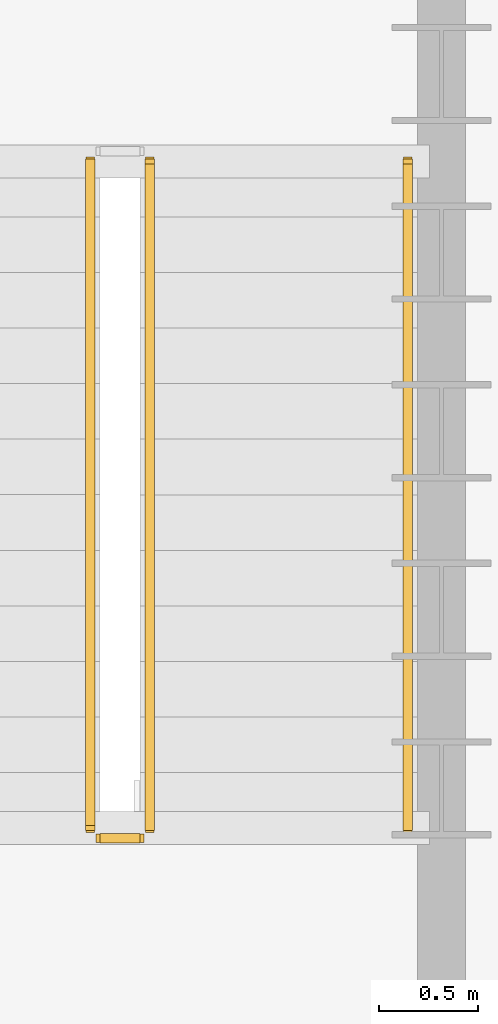
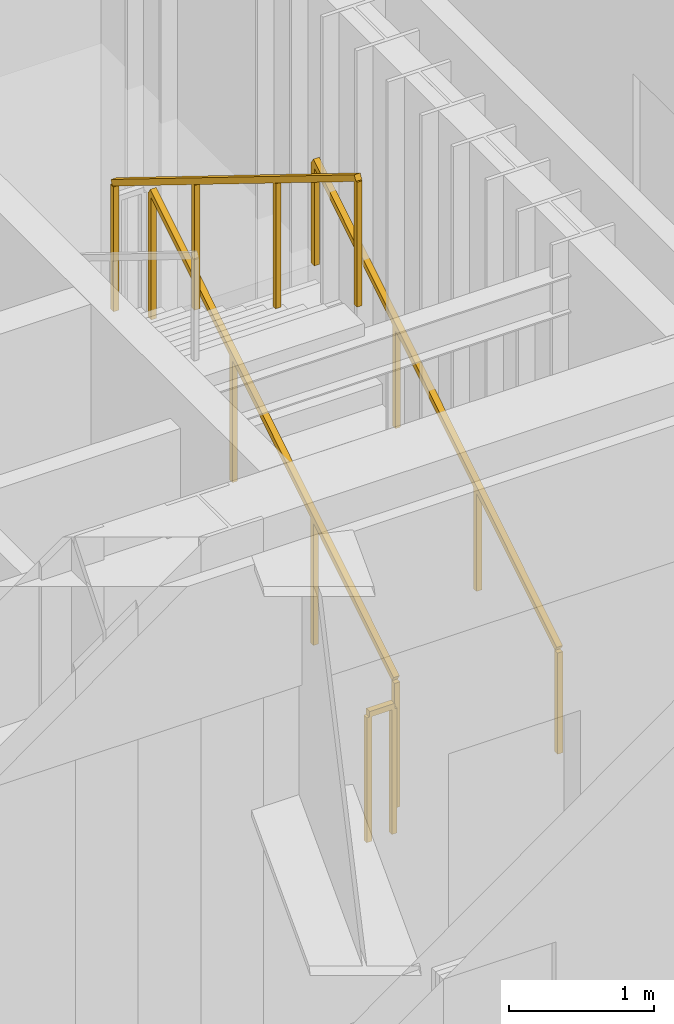
# One storey, part 23 of 26: 4 railings.
"""IFC4 building model written with IfcOpenShell, lengths in metres."""

from ifc_helpers import new_model, si_unit, direction, frame, origin, origin_2d, place, context, subcontext, project, spatial, rectangle, extrude, material, type_object, element, save


model = new_model("IFC4")

# Units and contexts
model_context = context("Model", 3, precision=1e-05, world=origin(), true_north=direction((0.0, 1.0)))
body_context = subcontext(model_context, "Body", "Model", "MODEL_VIEW")
ifc_project = project(units=[si_unit("LENGTHUNIT", "METRE"), si_unit("AREAUNIT", "SQUARE_METRE"), si_unit("VOLUMEUNIT", "CUBIC_METRE"), si_unit("PLANEANGLEUNIT", "RADIAN"), si_unit("MASSUNIT", "GRAM", prefix="KILO")], contexts=[model_context])

# Site, building, storey
site_placement = place(None, origin())
site = spatial("IfcSite", under=ifc_project, at=site_placement, CompositionType="ELEMENT")
building_placement = place(site_placement, origin())
building = spatial("IfcBuilding", under=site, at=building_placement, Name="Haldorwick Loom Tower", CompositionType="ELEMENT")
storey_placement = place(building_placement, frame((0.0, 0.0, 19.5)))
storey = spatial("IfcBuildingStorey", under=building, at=storey_placement, Name="L04", CompositionType="ELEMENT", Elevation=19.5)

# Railings
ifc_material = material(Name="Steel CSA G40.21 350W", Category="steel")
railing_type_1 = type_object("IfcRailingType", Name="ARC-RLG-GUARD112", PredefinedType="GUARDRAIL", material=ifc_material)
railing_1_placement = place(storey_placement, frame((48.60009765625, 28.39990234375, 0.173095703125)))
element("IfcRailing", 1, at=railing_1_placement, inside=storey, type_object=railing_type_1, Name="L04 ST-02 stair guard 1", PredefinedType="GUARDRAIL", context=body_context, shape_type="SweptSolid", body=[
    extrude(rectangle(XDim=0.048095703125, YDim=0.048095703125, at=origin_2d()), frame((0.0, 0.0, 1.076171875), z_axis=(0.0, 0.850623216509, 0.525775754039), x_axis=(-1.0, 0.0, 0.0)), (0.0, 0.0, 1.0), 3.9501953125),
    extrude(rectangle(XDim=0.0419921875, YDim=0.0419921875, at=origin_2d()), origin(), (0.0, 0.0, 1.0), 1.052001953125),
    extrude(rectangle(XDim=0.0419921875, YDim=0.0419921875, at=origin_2d()), frame((0.0, 1.1201171875, 0.6923828125)), (0.0, 0.0, 1.0), 1.052001953125),
    extrude(rectangle(XDim=0.0419921875, YDim=0.0419921875, at=origin_2d()), frame((0.0, 2.239990234375, 1.384521484375)), (0.0, 0.0, 1.0), 1.052001953125),
    extrude(rectangle(XDim=0.0419921875, YDim=0.0419921875, at=origin_2d()), frame((0.0, 3.360107421875, 2.076904296875)), (0.0, 0.0, 1.0), 1.052001953125),
])
railing_2_placement = place(storey_placement, frame((48.300048828125, 31.760009765625, 2.423095703125)))
element("IfcRailing", 2, at=railing_2_placement, inside=storey, type_object=railing_type_1, Name="L04 ST-02 stair guard 3", PredefinedType="GUARDRAIL", context=body_context, shape_type="SweptSolid", body=[
    extrude(rectangle(XDim=0.048095703125, YDim=0.048095703125, at=origin_2d()), frame((0.0, 0.0, 1.076171875), z_axis=(0.0, -0.850623216509, 0.525775754039), x_axis=(1.0, 0.0, 0.0)), (0.0, 0.0, 1.0), 3.9501953125),
    extrude(rectangle(XDim=0.0419921875, YDim=0.0419921875, at=origin_2d()), origin(), (0.0, 0.0, 1.0), 1.052001953125),
    extrude(rectangle(XDim=0.0419921875, YDim=0.0419921875, at=origin_2d()), frame((0.0, -1.1201171875, 0.6923828125)), (0.0, 0.0, 1.0), 1.052001953125),
    extrude(rectangle(XDim=0.0419921875, YDim=0.0419921875, at=origin_2d()), frame((0.0, -2.239990234375, 1.384521484375)), (0.0, 0.0, 1.0), 1.052001953125),
    extrude(rectangle(XDim=0.0419921875, YDim=0.0419921875, at=origin_2d()), frame((0.0, -3.360107421875, 2.076904296875)), (0.0, 0.0, 1.0), 1.052001953125),
])
railing_3_placement = place(storey_placement, frame((48.550048828125, 28.35009765625, 0.0)))
element("IfcRailing", 3, at=railing_3_placement, inside=storey, type_object=railing_type_1, Name="L04 ST-02 stair guard 4", PredefinedType="GUARDRAIL", context=body_context, shape_type="SweptSolid", body=[
    extrude(rectangle(XDim=0.048095703125, YDim=0.048095703125, at=origin_2d()), frame((0.0, 0.0, 1.076171875), z_axis=(-1.0, 0.0, 0.0), x_axis=(0.0, -1.0, 0.0)), (0.0, 0.0, 1.0), 0.199951171875),
    extrude(rectangle(XDim=0.0419921875, YDim=0.0419921875, at=origin_2d()), origin(), (0.0, 0.0, 1.0), 1.052001953125),
    extrude(rectangle(XDim=0.0419921875, YDim=0.0419921875, at=origin_2d()), frame((-0.199951171875, 0.0, 0.0)), (0.0, 0.0, 1.0), 1.052001953125),
])
railing_type_2 = type_object("IfcRailingType", Name="ARC-RLG-HAND092", PredefinedType="HANDRAIL", material=ifc_material)
railing_4_placement = place(storey_placement, frame((49.89990234375, 28.39990234375, 0.173095703125)))
element("IfcRailing", 4, at=railing_4_placement, inside=storey, type_object=railing_type_2, Name="L04 ST-02 stair handrail 1", PredefinedType="HANDRAIL", context=body_context, shape_type="SweptSolid", body=[
    extrude(rectangle(XDim=0.048095703125, YDim=0.048095703125, at=origin_2d()), frame((0.0, 0.0, 0.8759765625), z_axis=(0.0, 0.850623216509, 0.525775754039), x_axis=(-1.0, 0.0, 0.0)), (0.0, 0.0, 1.0), 3.9501953125),
    extrude(rectangle(XDim=0.0419921875, YDim=0.0419921875, at=origin_2d()), origin(), (0.0, 0.0, 1.0), 0.851806640625),
    extrude(rectangle(XDim=0.0419921875, YDim=0.0419921875, at=origin_2d()), frame((0.0, 1.1201171875, 0.6923828125)), (0.0, 0.0, 1.0), 0.851806640625),
    extrude(rectangle(XDim=0.0419921875, YDim=0.0419921875, at=origin_2d()), frame((0.0, 2.239990234375, 1.384521484375)), (0.0, 0.0, 1.0), 0.851806640625),
    extrude(rectangle(XDim=0.0419921875, YDim=0.0419921875, at=origin_2d()), frame((0.0, 3.360107421875, 2.076904296875)), (0.0, 0.0, 1.0), 0.851806640625),
])

save(model, "model.ifc")
